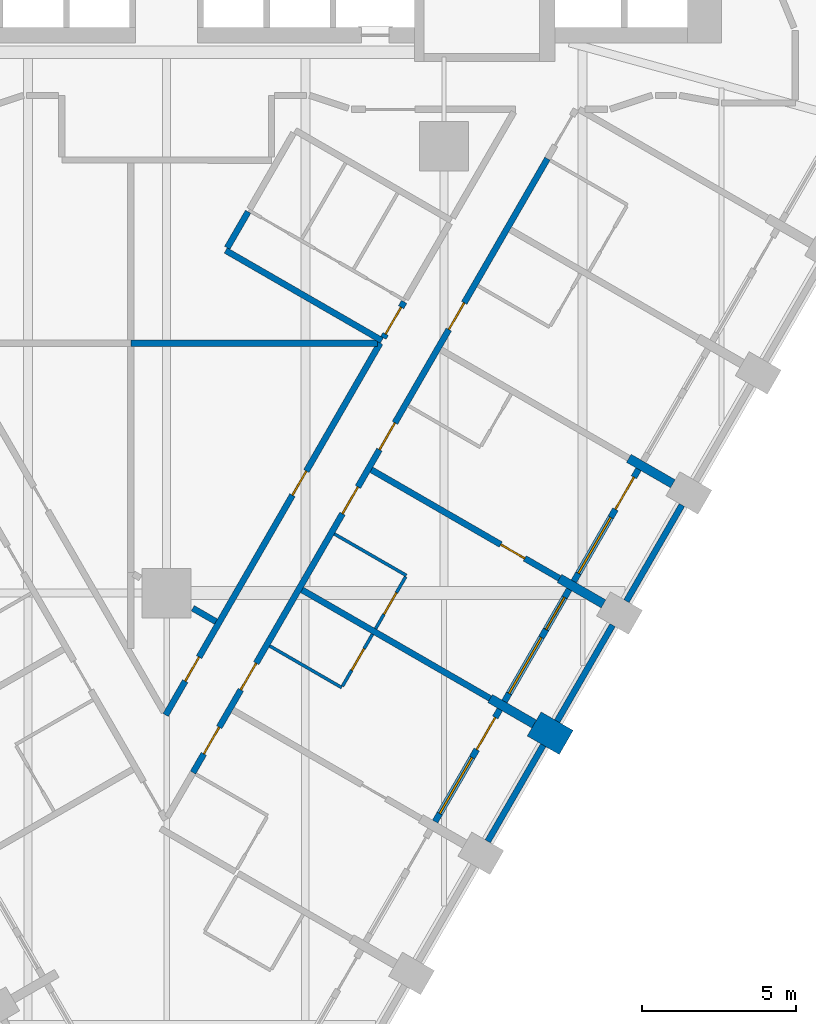
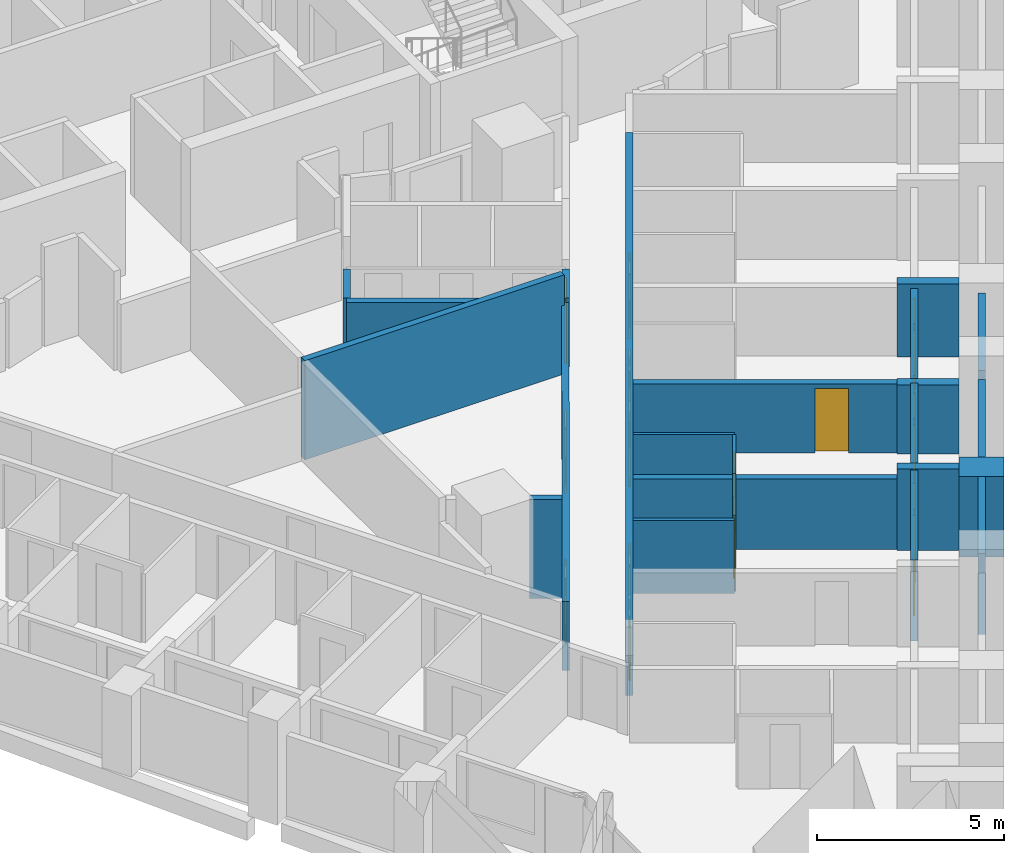
# One storey, part 5 of 12: 23 walls, 14 doors, 3 windows, 17 openings.
"""IFC4 building model written with IfcOpenShell, lengths in metres."""

from ifc_helpers import new_model, si_unit, direction, frame, frame_2d, origin, place, context, subcontext, project, spatial, rectangle, extrude, material, layer, layer_set, type_object, element, fill, save


model = new_model("IFC4")

# Units and contexts
model_context = context("Model", 3, precision=1e-05, world=origin(), true_north=direction((0.0, 1.0)))
body_context = subcontext(model_context, "Body", "Model", "MODEL_VIEW")
ifc_project = project(units=[si_unit("LENGTHUNIT", "METRE"), si_unit("AREAUNIT", "SQUARE_METRE"), si_unit("VOLUMEUNIT", "CUBIC_METRE"), si_unit("PLANEANGLEUNIT", "RADIAN"), si_unit("MASSUNIT", "GRAM", prefix="KILO")], contexts=[model_context])

# Site, building, storey
site_placement = place(None, origin())
site = spatial("IfcSite", under=ifc_project, at=site_placement, CompositionType="ELEMENT")
building_placement = place(site_placement, origin())
building = spatial("IfcBuilding", under=site, at=building_placement, Name="Calabash Gate Tower", CompositionType="ELEMENT")
storey_placement = place(building_placement, frame((0.0, 0.0, 76.60009765625)))
storey = spatial("IfcBuildingStorey", under=building, at=storey_placement, Name="L15", CompositionType="ELEMENT", Elevation=76.60009765625)

# Walls
ifc_material_1 = material(Name="Terracotta brick masonry, exposed face", Category="masonry")
ifc_layer_1 = layer(ifc_material_1, 1.199951171875)
ifc_layer_set_1 = layer_set([ifc_layer_1], Name="Brick end wall 1200")
wall_type_1 = type_object("IfcWallType", Name="Brick end wall 1200", PredefinedType="SOLIDWALL", material=ifc_layer_set_1)
wall_1_placement = place(storey_placement, frame((11.927978515625, -16.245361328125, 0.0), z_axis=(0.0, 0.0, 1.0), x_axis=(0.865955154139, -0.50012165622, 0.0)))
element("IfcWall", 1, at=wall_1_placement, inside=storey, type_object=wall_type_1, Name="Brick pier S04 SE2.3", PredefinedType="SOLIDWALL", context=body_context, shape_type="SweptSolid", body=[
    extrude(rectangle(XDim=1.199951171875, YDim=0.89990234375, at=frame_2d((0.60009765625, 0.0))), origin(), (0.0, 0.0, 1.0), 2.6298828125),
])
ifc_material_2 = material(Name="Terracotta brick masonry, exposed face", Category="masonry")
ifc_layer_2 = layer(ifc_material_2, 0.300048828125)
ifc_layer_set_2 = layer_set([ifc_layer_2], Name="Brick loggia cheek wall 300")
wall_type_2 = type_object("IfcWallType", Name="Brick loggia cheek wall 300", PredefinedType="SOLIDWALL", material=ifc_layer_set_2)
wall_2_placement = place(storey_placement, frame((10.4990234375, -15.42041015625, 0.0), z_axis=(0.0, 0.0, 1.0), x_axis=(0.866040211805, -0.499974350878, 0.0)))
element("IfcWall", 2, at=wall_2_placement, inside=storey, type_object=wall_type_2, Name="Loggia cheek S04 SE2.3", PredefinedType="SOLIDWALL", context=body_context, shape_type="SweptSolid", body=[
    extrude(rectangle(XDim=1.64990234375, YDim=0.300048828125, at=frame_2d((0.824951171875, 0.0))), origin(), (0.0, 0.0, 1.0), 2.64990234375),
])
wall_3_placement = place(storey_placement, frame((12.7490234375, -11.5234375, 0.0), z_axis=(0.0, 0.0, 1.0), x_axis=(0.865993292597, -0.500055614084, 0.0)))
element("IfcWall", 3, at=wall_3_placement, inside=storey, type_object=wall_type_2, Name="Loggia cheek S04 SE2.4", PredefinedType="SOLIDWALL", context=body_context, shape_type="SweptSolid", body=[
    extrude(rectangle(XDim=1.649169921875, YDim=0.300048828125, at=frame_2d((0.82470703125, 0.0))), origin(), (0.0, 0.0, 1.0), 2.24169921875),
])
wall_4_placement = place(storey_placement, frame((16.427978515625, -8.451171875, 0.0), z_axis=(0.0, 0.0, 1.0), x_axis=(-0.866040211805, 0.499974350878, 0.0)))
element("IfcWall", 4, at=wall_4_placement, inside=storey, type_object=wall_type_2, Name="Loggia cheek S04 SE2.5", PredefinedType="SOLIDWALL", context=body_context, shape_type="SweptSolid", body=[
    extrude(rectangle(XDim=1.64990234375, YDim=0.300048828125, at=frame_2d((0.824951171875, 0.0))), origin(), (0.0, 0.0, 1.0), 2.384033203125),
])

# Wall, opening, door
ifc_material_3 = material(Name="Gypsum board on steel studs, mineral wool", Category="steel")
ifc_layer_3 = layer(ifc_material_3, 0.10009765625)
ifc_layer_set_3 = layer_set([ifc_layer_3], Name="Partition 100 gypsum board")
wall_type_3 = type_object("IfcWallType", Name="Partition 100 gypsum board", PredefinedType="PARTITIONING", material=ifc_layer_set_3)
wall_5_placement = place(storey_placement, frame((5.706787109375, -15.020751953125, 0.0), z_axis=(0.0, 0.0, 1.0), x_axis=(0.49995005938, 0.866054235095, 0.0)))
wall_5 = element("IfcWall", 5, at=wall_5_placement, inside=storey, type_object=wall_type_3, Name="Partition", PredefinedType="PARTITIONING", context=body_context, shape_type="SweptSolid", body=[
    extrude(rectangle(XDim=1.949951171875, YDim=0.10009765625, at=frame_2d((0.97509765625, 0.0))), origin(), (0.0, 0.0, 1.0), 2.473388671875),
])
opening_1_placement = place(wall_5_placement, frame((0.60009765625, 0.0, 0.0)))
opening_1 = element("IfcOpeningElement", 6, at=opening_1_placement, cuts=wall_5, Name="Opening 15-17-016", PredefinedType="OPENING", context=body_context, shape_type="SweptSolid", body=[
    extrude(rectangle(XDim=0.800048828125, YDim=2.10009765625, at=frame_2d((0.39990234375, 1.050048828125))), frame((0.0, 0.06005859375, 0.0), z_axis=(0.0, -1.0, 0.0), x_axis=(1.0, 0.0, 0.0)), (0.0, 0.0, 1.0), 0.1201171875),
])
ifc_material_4 = material(Name="Painted timber door", Category="wood")
door_type_1 = type_object("IfcDoorType", Name="GD5 En-suite door 800x2100", OperationType="NOTDEFINED", PredefinedType="DOOR", material=ifc_material_4)
door_1_placement = place(opening_1_placement, origin())
door_1 = element("IfcDoor", 7, at=door_1_placement, inside=storey, type_object=door_type_1, Name="En-suite door", OperationType="SINGLE_SWING_RIGHT", OverallHeight=2.10009765625, OverallWidth=0.800048828125, PredefinedType="DOOR", context=body_context, shape_type="SweptSolid", body=[
    extrude(rectangle(XDim=0.800048828125, YDim=2.10009765625, at=frame_2d((0.39990234375, 1.050048828125))), frame((0.0, 0.02490234375, 0.0), z_axis=(0.0, -1.0, 0.0), x_axis=(1.0, 0.0, 0.0)), (0.0, 0.0, 1.0), 0.050048828125),
])
fill(opening_1, door_1)

# Wall
wall_6_placement = place(storey_placement, frame((3.344482421875, -13.712890625, 0.0), z_axis=(0.0, 0.0, 1.0), x_axis=(0.86571095196, -0.500544251447, 0.0)))
element("IfcWall", 8, at=wall_6_placement, inside=storey, type_object=wall_type_3, Name="Partition", PredefinedType="PARTITIONING", context=body_context, shape_type="SweptSolid", body=[
    extrude(rectangle(XDim=2.69970703125, YDim=0.10009765625, at=frame_2d((1.349853515625, 0.0))), origin(), (0.0, 0.0, 1.0), 2.384033203125),
])

# Wall, opening, door
wall_7_placement = place(storey_placement, frame((6.780517578125, -13.157958984375, 0.0), z_axis=(0.0, 0.0, 1.0), x_axis=(0.50063639091, 0.865657671425, 0.0)))
wall_7 = element("IfcWall", 9, at=wall_7_placement, inside=storey, type_object=wall_type_3, Name="Partition", PredefinedType="PARTITIONING", context=body_context, shape_type="SweptSolid", body=[
    extrude(rectangle(XDim=1.94970703125, YDim=0.10009765625, at=frame_2d((0.974853515625, 0.0))), origin(), (0.0, 0.0, 1.0), 2.24169921875),
])
opening_2_placement = place(wall_7_placement, frame((0.5498046875, 0.0, 0.0)))
opening_2 = element("IfcOpeningElement", 10, at=opening_2_placement, cuts=wall_7, Name="Opening 15-17-019", PredefinedType="OPENING", context=body_context, shape_type="SweptSolid", body=[
    extrude(rectangle(XDim=0.800048828125, YDim=2.10009765625, at=frame_2d((0.39990234375, 1.050048828125))), frame((0.0, 0.06005859375, 0.0), z_axis=(0.0, -1.0, 0.0), x_axis=(1.0, 0.0, 0.0)), (0.0, 0.0, 1.0), 0.1201171875),
])
door_2_placement = place(opening_2_placement, origin())
door_2 = element("IfcDoor", 11, at=door_2_placement, inside=storey, type_object=door_type_1, Name="En-suite door", OperationType="SINGLE_SWING_LEFT", OverallHeight=2.10009765625, OverallWidth=0.800048828125, PredefinedType="DOOR", context=body_context, shape_type="SweptSolid", body=[
    extrude(rectangle(XDim=0.800048828125, YDim=2.10009765625, at=frame_2d((0.39990234375, 1.050048828125))), frame((0.0, 0.02490234375, 0.0), z_axis=(0.0, -1.0, 0.0), x_axis=(1.0, 0.0, 0.0)), (0.0, 0.0, 1.0), 0.050048828125),
])
fill(opening_2, door_2)

# Wall
wall_8_placement = place(storey_placement, frame((5.44287109375, -10.078369140625, 0.0), z_axis=(0.0, 0.0, 1.0), x_axis=(0.866339109022, -0.499456252518, 0.0)))
element("IfcWall", 12, at=wall_8_placement, inside=storey, type_object=wall_type_3, Name="Partition", PredefinedType="PARTITIONING", context=body_context, shape_type="SweptSolid", body=[
    extrude(rectangle(XDim=2.69970703125, YDim=0.10009765625, at=frame_2d((1.349853515625, 0.0))), origin(), (0.0, 0.0, 1.0), 2.24169921875),
])

# Wall, openings, doors
ifc_material_5 = material(Name="Gypsum board on steel studs, mineral wool", Category="steel")
ifc_layer_4 = layer(ifc_material_5, 0.199951171875)
ifc_layer_set_4 = layer_set([ifc_layer_4], Name="Partition 200 gypsum board EI 60")
wall_type_4 = type_object("IfcWallType", Name="Partition 200 gypsum board EI 60", PredefinedType="PARTITIONING", material=ifc_layer_set_4)
wall_9_placement = place(storey_placement, frame((-0.02880859375, -15.95458984375, 0.0), z_axis=(0.0, 0.0, 1.0), x_axis=(0.499541892375, 0.866289730842, 0.0)))
wall_9 = element("IfcWall", 13, at=wall_9_placement, inside=storey, type_object=wall_type_4, Name="Partition", PredefinedType="PARTITIONING", context=body_context, shape_type="SweptSolid", body=[
    extrude(rectangle(XDim=13.93017578125, YDim=0.199951171875, at=frame_2d((6.965087890625, 0.0))), origin(), (0.0, 0.0, 1.0), 2.24169921875),
])
opening_3_placement = place(wall_9_placement, frame((1.26953125, 0.0, 0.0)))
opening_3 = element("IfcOpeningElement", 14, at=opening_3_placement, cuts=wall_9, Name="Opening 15-17-029", PredefinedType="OPENING", context=body_context, shape_type="SweptSolid", body=[
    extrude(rectangle(XDim=0.89990234375, YDim=2.10009765625, at=frame_2d((0.449951171875, 1.050048828125))), frame((0.0, 0.10986328125, 0.0), z_axis=(0.0, -1.0, 0.0), x_axis=(1.0, 0.0, 0.0)), (0.0, 0.0, 1.0), 0.219970703125),
])
opening_4_placement = place(wall_9_placement, frame((8.23486328125, 0.0, 0.0)))
opening_4 = element("IfcOpeningElement", 15, at=opening_4_placement, cuts=wall_9, Name="Opening 15-17-030", PredefinedType="OPENING", context=body_context, shape_type="SweptSolid", body=[
    extrude(rectangle(XDim=0.89990234375, YDim=2.10009765625, at=frame_2d((0.449951171875, 1.050048828125))), frame((0.0, 0.10986328125, 0.0), z_axis=(0.0, -1.0, 0.0), x_axis=(1.0, 0.0, 0.0)), (0.0, 0.0, 1.0), 0.219970703125),
])
ifc_material_6 = material(Name="Steel fire door set with fire-resisting glazing", Category="steel")
door_type_2 = type_object("IfcDoorType", Name="SD3 Store door 900x2100", OperationType="NOTDEFINED", PredefinedType="DOOR", material=ifc_material_6)
door_3_placement = place(opening_3_placement, origin())
door_3 = element("IfcDoor", 16, at=door_3_placement, inside=storey, type_object=door_type_2, Name="Store door", OperationType="SINGLE_SWING_LEFT", OverallHeight=2.10009765625, OverallWidth=0.89990234375, PredefinedType="DOOR", context=body_context, shape_type="SweptSolid", body=[
    extrude(rectangle(XDim=0.89990234375, YDim=2.10009765625, at=frame_2d((0.449951171875, 1.050048828125))), frame((0.0, 0.02490234375, 0.0), z_axis=(0.0, -1.0, 0.0), x_axis=(1.0, 0.0, 0.0)), (0.0, 0.0, 1.0), 0.050048828125),
])
fill(opening_3, door_3)
door_4_placement = place(opening_4_placement, origin())
door_4 = element("IfcDoor", 17, at=door_4_placement, inside=storey, type_object=door_type_2, Name="Store door", OperationType="SINGLE_SWING_RIGHT", OverallHeight=2.10009765625, OverallWidth=0.89990234375, PredefinedType="DOOR", context=body_context, shape_type="SweptSolid", body=[
    extrude(rectangle(XDim=0.89990234375, YDim=2.10009765625, at=frame_2d((0.449951171875, 1.050048828125))), frame((0.0, 0.02490234375, 0.0), z_axis=(0.0, -1.0, 0.0), x_axis=(1.0, 0.0, 0.0)), (0.0, 0.0, 1.0), 0.050048828125),
])
fill(opening_4, door_4)

# Walls
wall_10_placement = place(storey_placement, frame((0.85009765625, -12.490478515625, 0.0), z_axis=(0.0, 0.0, 1.0), x_axis=(0.866960927484, -0.498376113207, 0.0)))
element("IfcWall", 18, at=wall_10_placement, inside=storey, type_object=wall_type_4, Name="Partition", PredefinedType="PARTITIONING", context=body_context, shape_type="SweptSolid", body=[
    extrude(rectangle(XDim=0.869140625, YDim=0.199951171875, at=frame_2d((0.4345703125, 0.0))), origin(), (0.0, 0.0, 1.0), 3.22998046875),
])
wall_11_placement = place(storey_placement, frame((4.39453125, -11.893798828125, 0.0), z_axis=(0.0, 0.0, 1.0), x_axis=(0.866031034943, -0.499990246421, 0.0)))
element("IfcWall", 19, at=wall_11_placement, inside=storey, type_object=wall_type_4, Name="Partition", PredefinedType="PARTITIONING", context=body_context, shape_type="SweptSolid", body=[
    extrude(rectangle(XDim=7.050048828125, YDim=0.199951171875, at=frame_2d((3.52490234375, 0.0))), origin(), (0.0, 0.0, 1.0), 2.30224609375),
])

# Wall, opening, door
wall_12_placement = place(storey_placement, frame((6.64453125, -7.99658203125, 0.0), z_axis=(0.0, 0.0, 1.0), x_axis=(0.865891406831, -0.500232017744, 0.0)))
wall_12 = element("IfcWall", 20, at=wall_12_placement, inside=storey, type_object=wall_type_4, Name="Partition", PredefinedType="PARTITIONING", context=body_context, shape_type="SweptSolid", body=[
    extrude(rectangle(XDim=7.050048828125, YDim=0.199951171875, at=frame_2d((3.52490234375, 0.0))), origin(), (0.0, 0.0, 1.0), 2.24169921875),
])
opening_5_placement = place(wall_12_placement, frame((4.849853515625, 0.0, 0.0)))
opening_5 = element("IfcOpeningElement", 21, at=opening_5_placement, cuts=wall_12, Name="Opening 15-17-022", PredefinedType="OPENING", context=body_context, shape_type="SweptSolid", body=[
    extrude(rectangle(XDim=0.89990234375, YDim=2.10009765625, at=frame_2d((0.449951171875, 1.050048828125))), frame((0.0, 0.10986328125, 0.0), z_axis=(0.0, -1.0, 0.0), x_axis=(1.0, 0.0, 0.0)), (0.0, 0.0, 1.0), 0.219970703125),
])
ifc_material_7 = material(Name="Steel fire door set with fire-resisting glazing", Category="steel")
door_type_3 = type_object("IfcDoorType", Name="GD4 Connecting door 900x2100", OperationType="NOTDEFINED", PredefinedType="DOOR", material=ifc_material_7)
door_5_placement = place(opening_5_placement, origin())
door_5 = element("IfcDoor", 22, at=door_5_placement, inside=storey, type_object=door_type_3, Name="Connecting door", OperationType="SINGLE_SWING_RIGHT", OverallHeight=2.10009765625, OverallWidth=0.89990234375, PredefinedType="DOOR", context=body_context, shape_type="SweptSolid", body=[
    extrude(rectangle(XDim=0.89990234375, YDim=2.10009765625, at=frame_2d((0.449951171875, 1.050048828125))), frame((0.0, 0.02490234375, 0.0), z_axis=(0.0, -1.0, 0.0), x_axis=(1.0, 0.0, 0.0)), (0.0, 0.0, 1.0), 0.050048828125),
])
fill(opening_5, door_5)

# Wall
wall_13_placement = place(storey_placement, frame((-1.16162109375, -3.892578125, 0.0), z_axis=(0.0, 0.0, 1.0), x_axis=(0.999999970181, 0.000244207691, 0.0)))
element("IfcWall", 23, at=wall_13_placement, inside=storey, type_object=wall_type_4, Name="Partition", PredefinedType="PARTITIONING", context=body_context, shape_type="SweptSolid", body=[
    extrude(rectangle(XDim=7.997802734375, YDim=0.199951171875, at=frame_2d((3.9990234375, 0.0))), origin(), (0.0, 0.0, 1.0), 3.22998046875),
])

# Wall, opening, door
wall_14_placement = place(storey_placement, frame((7.03466796875, -3.716796875, 0.0), z_axis=(0.0, 0.0, 1.0), x_axis=(0.50106482324, 0.865409754342, 0.0)))
wall_14 = element("IfcWall", 24, at=wall_14_placement, inside=storey, type_object=wall_type_4, Name="Partition", PredefinedType="PARTITIONING", context=body_context, shape_type="SweptSolid", body=[
    extrude(rectangle(XDim=1.34814453125, YDim=0.199951171875, at=frame_2d((0.674072265625, 0.0))), origin(), (0.0, 0.0, 1.0), 2.24169921875),
])
opening_6_placement = place(wall_14_placement, frame((0.148193359375, 0.0, 0.0)))
opening_6 = element("IfcOpeningElement", 25, at=opening_6_placement, cuts=wall_14, Name="Opening 15-17-032", PredefinedType="OPENING", context=body_context, shape_type="SweptSolid", body=[
    extrude(rectangle(XDim=1.0, YDim=2.10009765625, at=frame_2d((0.5, 1.050048828125))), frame((0.0, 0.10986328125, 0.0), z_axis=(0.0, -1.0, 0.0), x_axis=(1.0, 0.0, 0.0)), (0.0, 0.0, 1.0), 0.219970703125),
])
ifc_material_8 = material(Name="Steel fire door set with fire-resisting glazing", Category="steel")
door_type_4 = type_object("IfcDoorType", Name="WD3 WC lobby door 1000x2100", OperationType="NOTDEFINED", PredefinedType="DOOR", material=ifc_material_8)
door_6_placement = place(opening_6_placement, origin())
door_6 = element("IfcDoor", 26, at=door_6_placement, inside=storey, type_object=door_type_4, Name="WC lobby door", OperationType="SINGLE_SWING_LEFT", OverallHeight=2.10009765625, OverallWidth=1.0, PredefinedType="DOOR", context=body_context, shape_type="SweptSolid", body=[
    extrude(rectangle(XDim=1.0, YDim=2.10009765625, at=frame_2d((0.5, 1.050048828125))), frame((0.0, 0.02490234375, 0.0), z_axis=(0.0, -1.0, 0.0), x_axis=(1.0, 0.0, 0.0)), (0.0, 0.0, 1.0), 0.050048828125),
])
fill(opening_6, door_6)

# Walls
wall_15_placement = place(storey_placement, frame((1.919189453125, -0.880859375, 0.0), z_axis=(0.0, 0.0, 1.0), x_axis=(0.866167515178, -0.499753775024, 0.0)))
element("IfcWall", 27, at=wall_15_placement, inside=storey, type_object=wall_type_4, Name="Partition", PredefinedType="PARTITIONING", context=body_context, shape_type="SweptSolid", body=[
    extrude(rectangle(XDim=5.84814453125, YDim=0.199951171875, at=frame_2d((2.924072265625, 0.0))), origin(), (0.0, 0.0, 1.0), 2.24169921875),
])
wall_16_placement = place(storey_placement, frame((1.969482421875, -0.794189453125, 0.0), z_axis=(0.0, 0.0, 1.0), x_axis=(0.501000622125, 0.865446923058, 0.0)))
element("IfcWall", 28, at=wall_16_placement, inside=storey, type_object=wall_type_4, Name="Partition", PredefinedType="PARTITIONING", context=body_context, shape_type="SweptSolid", body=[
    extrude(rectangle(XDim=1.349853515625, YDim=0.199951171875, at=frame_2d((0.6748046875, 0.0))), origin(), (0.0, 0.0, 1.0), 2.24169921875),
])

# Wall, openings, doors
wall_17_placement = place(storey_placement, frame((0.858642578125, -17.82177734375, 0.0), z_axis=(0.0, 0.0, 1.0), x_axis=(0.500002395808, 0.866024020559, 0.0)))
wall_17 = element("IfcWall", 29, at=wall_17_placement, inside=storey, type_object=wall_type_4, Name="Partition", PredefinedType="PARTITIONING", context=body_context, shape_type="SweptSolid", body=[
    extrude(rectangle(XDim=23.0, YDim=0.199951171875, at=frame_2d((11.5, 0.0))), origin(), (0.0, 0.0, 1.0), 2.24169921875),
])
opening_7_placement = place(wall_17_placement, frame((0.69970703125, 0.0, 0.0)))
opening_7 = element("IfcOpeningElement", 30, at=opening_7_placement, cuts=wall_17, Name="Opening 15-17-013", PredefinedType="OPENING", context=body_context, shape_type="SweptSolid", body=[
    extrude(rectangle(XDim=1.0, YDim=2.10009765625, at=frame_2d((0.5, 1.050048828125))), frame((0.0, 0.10986328125, 0.0), z_axis=(0.0, -1.0, 0.0), x_axis=(1.0, 0.0, 0.0)), (0.0, 0.0, 1.0), 0.219970703125),
])
opening_8_placement = place(wall_17_placement, frame((3.099853515625, 0.0, 0.0)))
opening_8 = element("IfcOpeningElement", 31, at=opening_8_placement, cuts=wall_17, Name="Opening 15-17-015", PredefinedType="OPENING", context=body_context, shape_type="SweptSolid", body=[
    extrude(rectangle(XDim=1.0, YDim=2.10009765625, at=frame_2d((0.5, 1.050048828125))), frame((0.0, 0.10986328125, 0.0), z_axis=(0.0, -1.0, 0.0), x_axis=(1.0, 0.0, 0.0)), (0.0, 0.0, 1.0), 0.219970703125),
])
opening_9_placement = place(wall_17_placement, frame((9.69970703125, 0.0, 0.0)))
opening_9 = element("IfcOpeningElement", 32, at=opening_9_placement, cuts=wall_17, Name="Opening 15-17-018", PredefinedType="OPENING", context=body_context, shape_type="SweptSolid", body=[
    extrude(rectangle(XDim=1.0, YDim=2.10009765625, at=frame_2d((0.5, 1.050048828125))), frame((0.0, 0.10986328125, 0.0), z_axis=(0.0, -1.0, 0.0), x_axis=(1.0, 0.0, 0.0)), (0.0, 0.0, 1.0), 0.219970703125),
])
opening_10_placement = place(wall_17_placement, frame((12.099609375, 0.0, 0.0)))
opening_10 = element("IfcOpeningElement", 33, at=opening_10_placement, cuts=wall_17, Name="Opening 15-17-020", PredefinedType="OPENING", context=body_context, shape_type="SweptSolid", body=[
    extrude(rectangle(XDim=1.0, YDim=2.10009765625, at=frame_2d((0.5, 1.050048828125))), frame((0.0, 0.10986328125, 0.0), z_axis=(0.0, -1.0, 0.0), x_axis=(1.0, 0.0, 0.0)), (0.0, 0.0, 1.0), 0.219970703125),
])
opening_11_placement = place(wall_17_placement, frame((16.599609375, 0.0, 0.0)))
opening_11 = element("IfcOpeningElement", 34, at=opening_11_placement, cuts=wall_17, Name="Opening 15-17-023", PredefinedType="OPENING", context=body_context, shape_type="SweptSolid", body=[
    extrude(rectangle(XDim=1.0, YDim=2.10009765625, at=frame_2d((0.5, 1.050048828125))), frame((0.0, 0.10986328125, 0.0), z_axis=(0.0, -1.0, 0.0), x_axis=(1.0, 0.0, 0.0)), (0.0, 0.0, 1.0), 0.219970703125),
])
ifc_material_9 = material(Name="Steel fire door set with fire-resisting glazing", Category="steel")
door_type_5 = type_object("IfcDoorType", Name="GD1 Guest room entrance door 1000x2100", OperationType="NOTDEFINED", PredefinedType="DOOR", material=ifc_material_9)
door_7_placement = place(opening_7_placement, origin())
door_7 = element("IfcDoor", 35, at=door_7_placement, inside=storey, type_object=door_type_5, Name="Guest room entrance door", OperationType="SINGLE_SWING_LEFT", OverallHeight=2.10009765625, OverallWidth=1.0, PredefinedType="DOOR", context=body_context, shape_type="SweptSolid", body=[
    extrude(rectangle(XDim=1.0, YDim=2.10009765625, at=frame_2d((0.5, 1.050048828125))), frame((0.0, 0.02490234375, 0.0), z_axis=(0.0, -1.0, 0.0), x_axis=(1.0, 0.0, 0.0)), (0.0, 0.0, 1.0), 0.050048828125),
])
fill(opening_7, door_7)
door_8_placement = place(opening_8_placement, origin())
door_8 = element("IfcDoor", 36, at=door_8_placement, inside=storey, type_object=door_type_5, Name="Guest room entrance door", OperationType="SINGLE_SWING_RIGHT", OverallHeight=2.10009765625, OverallWidth=1.0, PredefinedType="DOOR", context=body_context, shape_type="SweptSolid", body=[
    extrude(rectangle(XDim=1.0, YDim=2.10009765625, at=frame_2d((0.5, 1.050048828125))), frame((0.0, 0.02490234375, 0.0), z_axis=(0.0, -1.0, 0.0), x_axis=(1.0, 0.0, 0.0)), (0.0, 0.0, 1.0), 0.050048828125),
])
fill(opening_8, door_8)
door_9_placement = place(opening_9_placement, origin())
door_9 = element("IfcDoor", 37, at=door_9_placement, inside=storey, type_object=door_type_5, Name="Guest room entrance door", OperationType="SINGLE_SWING_LEFT", OverallHeight=2.10009765625, OverallWidth=1.0, PredefinedType="DOOR", context=body_context, shape_type="SweptSolid", body=[
    extrude(rectangle(XDim=1.0, YDim=2.10009765625, at=frame_2d((0.5, 1.050048828125))), frame((0.0, 0.02490234375, 0.0), z_axis=(0.0, -1.0, 0.0), x_axis=(1.0, 0.0, 0.0)), (0.0, 0.0, 1.0), 0.050048828125),
])
fill(opening_9, door_9)
door_10_placement = place(opening_10_placement, origin())
door_10 = element("IfcDoor", 38, at=door_10_placement, inside=storey, type_object=door_type_5, Name="Guest room entrance door", OperationType="SINGLE_SWING_RIGHT", OverallHeight=2.10009765625, OverallWidth=1.0, PredefinedType="DOOR", context=body_context, shape_type="SweptSolid", body=[
    extrude(rectangle(XDim=1.0, YDim=2.10009765625, at=frame_2d((0.5, 1.050048828125))), frame((0.0, 0.02490234375, 0.0), z_axis=(0.0, -1.0, 0.0), x_axis=(1.0, 0.0, 0.0)), (0.0, 0.0, 1.0), 0.050048828125),
])
fill(opening_10, door_10)
door_11_placement = place(opening_11_placement, origin())
door_11 = element("IfcDoor", 39, at=door_11_placement, inside=storey, type_object=door_type_5, Name="Guest room entrance door", OperationType="SINGLE_SWING_RIGHT", OverallHeight=2.10009765625, OverallWidth=1.0, PredefinedType="DOOR", context=body_context, shape_type="SweptSolid", body=[
    extrude(rectangle(XDim=1.0, YDim=2.10009765625, at=frame_2d((0.5, 1.050048828125))), frame((0.0, 0.02490234375, 0.0), z_axis=(0.0, -1.0, 0.0), x_axis=(1.0, 0.0, 0.0)), (0.0, 0.0, 1.0), 0.050048828125),
])
fill(opening_11, door_11)

# Walls
ifc_material_10 = material(Name="Terracotta brick masonry, perforated", Category="masonry")
ifc_layer_5 = layer(ifc_material_10, 0.199951171875)
ifc_layer_set_5 = layer_set([ifc_layer_5], Name="Terracotta jaali screen B")
wall_type_5 = type_object("IfcWallType", Name="Terracotta jaali screen B", PredefinedType="SOLIDWALL", material=ifc_layer_set_5)
for number, where, z_axis, x_axis, name in (
    (40, (10.42236328125, -20.052734375, 0.0), (0.0, 0.0, 1.0), (0.500012057535, 0.866018442252, 0.0), "SCREEN B S04 SE2.3"),
    (41, (12.67236328125, -16.15576171875, 0.0), (0.0, 0.0, 1.0), (0.500012057535, 0.866018442252, 0.0), "SCREEN B S04 SE2.4"),
):
    element("IfcWall", number, at=place(storey_placement, frame(where, z_axis=z_axis, x_axis=x_axis)), inside=storey, type_object=wall_type_5, Name=name, PredefinedType="SOLIDWALL", context=body_context, shape_type="SweptSolid", body=[
        extrude(rectangle(XDim=3.60009765625, YDim=0.199951171875, at=frame_2d((1.800048828125, 0.0))), origin(), (0.0, 0.0, 1.0), 2.6298828125),
    ])
wall_18_placement = place(storey_placement, frame((14.92236328125, -12.258544921875, 0.0), z_axis=(0.0, 0.0, 1.0), x_axis=(0.500012057535, 0.866018442252, 0.0)))
element("IfcWall", 42, at=wall_18_placement, inside=storey, type_object=wall_type_5, Name="SCREEN B S04 SE2.5", PredefinedType="SOLIDWALL", context=body_context, shape_type="SweptSolid", body=[
    extrude(rectangle(XDim=3.60009765625, YDim=0.199951171875, at=frame_2d((1.800048828125, 0.0))), origin(), (0.0, 0.0, 1.0), 2.30224609375),
])

# Wall, openings, door, window
ifc_material_11 = material(Name="Aluminium framed window wall with insulated spandrel", Category="aluminium")
ifc_layer_6 = layer(ifc_material_11, 0.199951171875)
ifc_layer_set_6 = layer_set([ifc_layer_6], Name="Window wall 200")
wall_type_6 = type_object("IfcWallType", Name="Window wall 200", PredefinedType="ELEMENTEDWALL", material=ifc_layer_set_6)
wall_19_placement = place(storey_placement, frame((8.713623046875, -19.41259765625, 0.0), z_axis=(0.0, 0.0, 1.0), x_axis=(0.500027713859, 0.866009402589, 0.0)))
wall_19 = element("IfcWall", 43, at=wall_19_placement, inside=storey, type_object=wall_type_6, Name="Window wall S04 SE2.3", PredefinedType="ELEMENTEDWALL", context=body_context, shape_type="SweptSolid", body=[
    extrude(rectangle(XDim=4.199951171875, YDim=0.199951171875, at=frame_2d((2.10009765625, 0.0))), origin(), (0.0, 0.0, 1.0), 2.6279296875),
])
opening_12_placement = place(wall_19_placement, frame((0.300048828125, 0.0, 0.60009765625)))
opening_12 = element("IfcOpeningElement", 44, at=opening_12_placement, cuts=wall_19, Name="Opening HW1", PredefinedType="OPENING", context=body_context, shape_type="SweptSolid", body=[
    extrude(rectangle(XDim=2.10009765625, YDim=1.800048828125, at=frame_2d((1.050048828125, 0.89990234375))), frame((0.0, 0.10986328125, 0.0), z_axis=(0.0, -1.0, 0.0), x_axis=(1.0, 0.0, 0.0)), (0.0, 0.0, 1.0), 0.219970703125),
])
opening_13_placement = place(wall_19_placement, frame((2.699951171875, 0.0, 0.0)))
opening_13 = element("IfcOpeningElement", 45, at=opening_13_placement, cuts=wall_19, Name="Opening H4-020", PredefinedType="OPENING", context=body_context, shape_type="SweptSolid", body=[
    extrude(rectangle(XDim=1.199951171875, YDim=2.39990234375, at=frame_2d((0.60009765625, 1.199951171875))), frame((0.0, 0.10986328125, 0.0), z_axis=(0.0, -1.0, 0.0), x_axis=(1.0, 0.0, 0.0)), (0.0, 0.0, 1.0), 0.219970703125),
])
ifc_material_12 = material(Name="Anodised aluminium frame, bronze finish, impact-rated laminated clear glazing", Category="aluminium")
door_type_6 = type_object("IfcDoorType", Name="Loggia door DH1 1200x2400", OperationType="SLIDING_TO_LEFT", PredefinedType="DOOR", material=ifc_material_12)
door_12_placement = place(opening_13_placement, origin())
door_12 = element("IfcDoor", 46, at=door_12_placement, inside=storey, type_object=door_type_6, Name="Loggia door S04 SE2.3", OperationType="SINGLE_SWING_LEFT", OverallHeight=2.39990234375, OverallWidth=1.199951171875, PredefinedType="DOOR", context=body_context, shape_type="SweptSolid", body=[
    extrude(rectangle(XDim=1.199951171875, YDim=2.39990234375, at=frame_2d((0.60009765625, 1.199951171875))), frame((0.0, 0.02490234375, 0.0), z_axis=(0.0, -1.0, 0.0), x_axis=(1.0, 0.0, 0.0)), (0.0, 0.0, 1.0), 0.050048828125),
])
fill(opening_13, door_12)
ifc_material_13 = material(Name="Anodised aluminium frame, bronze finish, impact-rated laminated clear glazing", Category="aluminium")
window_type_1 = type_object("IfcWindowType", Name="Window HW1 2100x1800", PartitioningType="DOUBLE_PANEL_VERTICAL", PredefinedType="WINDOW", material=ifc_material_13)
window_1_placement = place(opening_12_placement, origin())
window_1 = element("IfcWindow", 47, at=window_1_placement, inside=storey, type_object=window_type_1, Name="Window HW1 S04 SE2.3", OverallHeight=1.800048828125, OverallWidth=2.10009765625, PartitioningType="SINGLE_PANEL", PredefinedType="WINDOW", context=body_context, shape_type="SweptSolid", body=[
    extrude(rectangle(XDim=2.10009765625, YDim=1.800048828125, at=frame_2d((1.050048828125, 0.89990234375))), frame((0.0, 0.030029296875, 0.0), z_axis=(0.0, -1.0, 0.0), x_axis=(1.0, 0.0, 0.0)), (0.0, 0.0, 1.0), 0.06005859375),
])
fill(opening_12, window_1)

wall_20_placement = place(storey_placement, frame((10.963623046875, -15.515625, 0.0), z_axis=(0.0, 0.0, 1.0), x_axis=(0.500002543286, 0.866023935413, 0.0)))
wall_20 = element("IfcWall", 48, at=wall_20_placement, inside=storey, type_object=wall_type_6, Name="Window wall S04 SE2.4", PredefinedType="ELEMENTEDWALL", context=body_context, shape_type="SweptSolid", body=[
    extrude(rectangle(XDim=4.2001953125, YDim=0.199951171875, at=frame_2d((2.10009765625, 0.0))), origin(), (0.0, 0.0, 1.0), 2.30224609375),
])
opening_14_placement = place(wall_20_placement, frame((0.300048828125, 0.0, 0.60009765625)))
opening_14 = element("IfcOpeningElement", 49, at=opening_14_placement, cuts=wall_20, Name="Opening HW1L-1600", PredefinedType="OPENING", context=body_context, shape_type="SweptSolid", body=[
    extrude(rectangle(XDim=2.10009765625, YDim=1.60009765625, at=frame_2d((1.050048828125, 0.800048828125))), frame((0.0, 0.10986328125, 0.0), z_axis=(0.0, -1.0, 0.0), x_axis=(1.0, 0.0, 0.0)), (0.0, 0.0, 1.0), 0.219970703125),
])
opening_15_placement = place(wall_20_placement, frame((2.699951171875, 0.0, 0.0)))
opening_15 = element("IfcOpeningElement", 50, at=opening_15_placement, cuts=wall_20, Name="Opening H4-021", PredefinedType="OPENING", context=body_context, shape_type="SweptSolid", body=[
    extrude(rectangle(XDim=1.199951171875, YDim=2.199951171875, at=frame_2d((0.60009765625, 1.10009765625))), frame((0.0, 0.10986328125, 0.0), z_axis=(0.0, -1.0, 0.0), x_axis=(1.0, 0.0, 0.0)), (0.0, 0.0, 1.0), 0.219970703125),
])
ifc_material_14 = material(Name="Anodised aluminium frame, bronze finish, impact-rated laminated clear glazing", Category="aluminium")
door_type_7 = type_object("IfcDoorType", Name="Loggia door DH1L-2200 1200x2200", OperationType="SLIDING_TO_LEFT", PredefinedType="DOOR", material=ifc_material_14)
door_13_placement = place(opening_15_placement, origin())
door_13 = element("IfcDoor", 51, at=door_13_placement, inside=storey, type_object=door_type_7, Name="Loggia door S04 SE2.4", OperationType="SINGLE_SWING_LEFT", OverallHeight=2.199951171875, OverallWidth=1.199951171875, PredefinedType="DOOR", context=body_context, shape_type="SweptSolid", body=[
    extrude(rectangle(XDim=1.199951171875, YDim=2.199951171875, at=frame_2d((0.60009765625, 1.10009765625))), frame((0.0, 0.02490234375, 0.0), z_axis=(0.0, -1.0, 0.0), x_axis=(1.0, 0.0, 0.0)), (0.0, 0.0, 1.0), 0.050048828125),
])
fill(opening_15, door_13)
ifc_material_15 = material(Name="Anodised aluminium frame, bronze finish, impact-rated laminated clear glazing", Category="aluminium")
window_type_2 = type_object("IfcWindowType", Name="Window HW1L 2100x1600", PartitioningType="DOUBLE_PANEL_VERTICAL", PredefinedType="WINDOW", material=ifc_material_15)
window_2_placement = place(opening_14_placement, origin())
window_2 = element("IfcWindow", 52, at=window_2_placement, inside=storey, type_object=window_type_2, Name="Window HW1 S04 SE2.4", OverallHeight=1.60009765625, OverallWidth=2.10009765625, PartitioningType="SINGLE_PANEL", PredefinedType="WINDOW", context=body_context, shape_type="SweptSolid", body=[
    extrude(rectangle(XDim=2.10009765625, YDim=1.60009765625, at=frame_2d((1.050048828125, 0.800048828125))), frame((0.0, 0.030029296875, 0.0), z_axis=(0.0, -1.0, 0.0), x_axis=(1.0, 0.0, 0.0)), (0.0, 0.0, 1.0), 0.06005859375),
])
fill(opening_14, window_2)

wall_21_placement = place(storey_placement, frame((13.213623046875, -11.618408203125, 0.0), z_axis=(0.0, 0.0, 1.0), x_axis=(0.500027713859, 0.866009402589, 0.0)))
wall_21 = element("IfcWall", 53, at=wall_21_placement, inside=storey, type_object=wall_type_6, Name="Window wall S04 SE2.5", PredefinedType="ELEMENTEDWALL", context=body_context, shape_type="SweptSolid", body=[
    extrude(rectangle(XDim=4.199951171875, YDim=0.199951171875, at=frame_2d((2.10009765625, 0.0))), origin(), (0.0, 0.0, 1.0), 2.24169921875),
])
opening_16_placement = place(wall_21_placement, frame((0.300048828125, 0.0, 0.60009765625)))
opening_16 = element("IfcOpeningElement", 54, at=opening_16_placement, cuts=wall_21, Name="Opening HW1L-1540", PredefinedType="OPENING", context=body_context, shape_type="SweptSolid", body=[
    extrude(rectangle(XDim=2.10009765625, YDim=1.5400390625, at=frame_2d((1.050048828125, 0.77001953125))), frame((0.0, 0.10986328125, 0.0), z_axis=(0.0, -1.0, 0.0), x_axis=(1.0, 0.0, 0.0)), (0.0, 0.0, 1.0), 0.219970703125),
])
opening_17_placement = place(wall_21_placement, frame((2.699951171875, 0.0, 0.0)))
opening_17 = element("IfcOpeningElement", 55, at=opening_17_placement, cuts=wall_21, Name="Opening H4-022", PredefinedType="OPENING", context=body_context, shape_type="SweptSolid", body=[
    extrude(rectangle(XDim=1.199951171875, YDim=2.139892578125, at=frame_2d((0.60009765625, 1.06982421875))), frame((0.0, 0.10986328125, 0.0), z_axis=(0.0, -1.0, 0.0), x_axis=(1.0, 0.0, 0.0)), (0.0, 0.0, 1.0), 0.219970703125),
])
ifc_material_16 = material(Name="Anodised aluminium frame, bronze finish, impact-rated laminated clear glazing", Category="aluminium")
door_type_8 = type_object("IfcDoorType", Name="Loggia door DH1L-2140 1200x2140", OperationType="SLIDING_TO_LEFT", PredefinedType="DOOR", material=ifc_material_16)
door_14_placement = place(opening_17_placement, origin())
door_14 = element("IfcDoor", 56, at=door_14_placement, inside=storey, type_object=door_type_8, Name="Loggia door S04 SE2.5", OperationType="SINGLE_SWING_LEFT", OverallHeight=2.139892578125, OverallWidth=1.199951171875, PredefinedType="DOOR", context=body_context, shape_type="SweptSolid", body=[
    extrude(rectangle(XDim=1.199951171875, YDim=2.139892578125, at=frame_2d((0.60009765625, 1.06982421875))), frame((0.0, 0.02490234375, 0.0), z_axis=(0.0, -1.0, 0.0), x_axis=(1.0, 0.0, 0.0)), (0.0, 0.0, 1.0), 0.050048828125),
])
fill(opening_17, door_14)
ifc_material_17 = material(Name="Anodised aluminium frame, bronze finish, impact-rated laminated clear glazing", Category="aluminium")
window_type_3 = type_object("IfcWindowType", Name="Window HW1L 2100x1540", PartitioningType="DOUBLE_PANEL_VERTICAL", PredefinedType="WINDOW", material=ifc_material_17)
window_3_placement = place(opening_16_placement, origin())
window_3 = element("IfcWindow", 57, at=window_3_placement, inside=storey, type_object=window_type_3, Name="Window HW1 S04 SE2.5", OverallHeight=1.5400390625, OverallWidth=2.10009765625, PartitioningType="SINGLE_PANEL", PredefinedType="WINDOW", context=body_context, shape_type="SweptSolid", body=[
    extrude(rectangle(XDim=2.10009765625, YDim=1.5400390625, at=frame_2d((1.050048828125, 0.77001953125))), frame((0.0, 0.030029296875, 0.0), z_axis=(0.0, -1.0, 0.0), x_axis=(1.0, 0.0, 0.0)), (0.0, 0.0, 1.0), 0.06005859375),
])
fill(opening_16, window_3)

save(model, "model.ifc")
